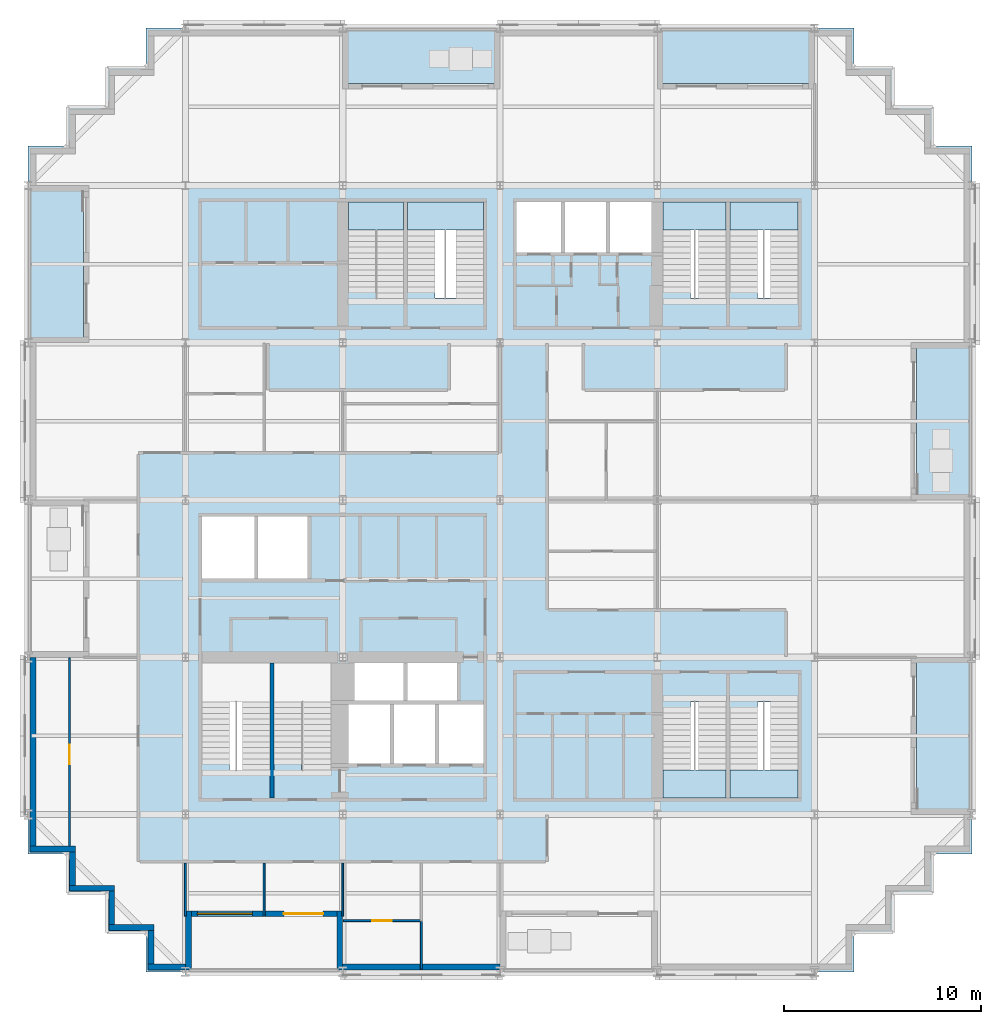
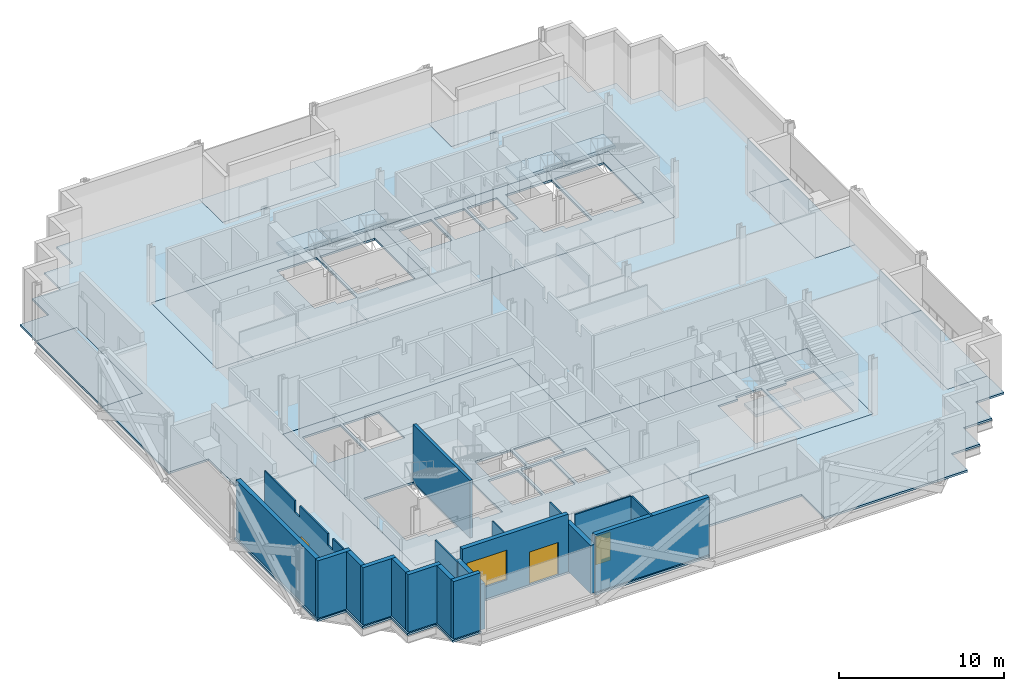
# One storey, part 4 of 14: 19 walls, 16 slabs, 3 doors, 1 window, 4 openings, 6 elements without a shape of their own.
"""IFC4 building model written with IfcOpenShell, lengths in metres."""

from ifc_helpers import new_model, si_unit, direction, frame, frame_2d, origin, place, context, subcontext, project, spatial, polyline, rectangle, outline, extrude, material, layer, layer_set, type_object, element, fill, aggregate, save


model = new_model("IFC4")

# Units and contexts
model_context = context("Model", 3, precision=1e-05, world=origin(), true_north=direction((0.0, 1.0)))
body_context = subcontext(model_context, "Body", "Model", "MODEL_VIEW")
ifc_project = project(units=[si_unit("LENGTHUNIT", "METRE"), si_unit("AREAUNIT", "SQUARE_METRE"), si_unit("VOLUMEUNIT", "CUBIC_METRE"), si_unit("PLANEANGLEUNIT", "RADIAN"), si_unit("MASSUNIT", "GRAM", prefix="KILO")], contexts=[model_context])

# Site, building, storey
site_placement = place(None, origin())
site = spatial("IfcSite", under=ifc_project, at=site_placement, CompositionType="ELEMENT")
building_placement = place(site_placement, origin())
building = spatial("IfcBuilding", under=site, at=building_placement, Name="Immortelle Media Tower", CompositionType="ELEMENT")
storey_placement = place(building_placement, frame((0.0, 0.0, 39.199951171875)))
storey = spatial("IfcBuildingStorey", under=building, at=storey_placement, Name="L05", CompositionType="ELEMENT", Elevation=39.199951171875)

# Slabs
ifc_material_1 = material(Name="Concrete C50/60 composite deck", Category="concrete")
ifc_layer_1 = layer(ifc_material_1, 0.14990234375)
ifc_layer_set_1 = layer_set([ifc_layer_1], Name="Concrete C50/60 composite deck")
slab_type_1 = type_object("IfcSlabType", Name="Balcony slab 150", PredefinedType="FLOOR", material=ifc_layer_set_1)
slab_1_placement = place(storey_placement, frame((0.0, 0.0, -0.14990234375)))
element("IfcSlab", 1, at=slab_1_placement, inside=storey, type_object=slab_type_1, Name="Balcony slab L05 W0", PredefinedType="FLOOR", context=body_context, shape_type="SweptSolid", body=[
    extrude(outline(polyline([(2.800048828125, 32.0), (2.800048828125, 40.0), (0.0, 40.0), (0.0, 32.0), (2.800048828125, 32.0)])), origin(), (0.0, 0.0, 1.0), 0.14990234375),
])
slab_2_placement = place(storey_placement, frame((0.0, 0.0, -0.14990234375)))
element("IfcSlab", 2, at=slab_2_placement, inside=storey, type_object=slab_type_1, Name="Balcony slab L05 E0", PredefinedType="FLOOR", context=body_context, shape_type="SweptSolid", body=[
    extrude(outline(polyline([(48.0, 8.0), (48.0, 16.0), (45.199951171875, 16.0), (45.199951171875, 8.0), (48.0, 8.0)])), origin(), (0.0, 0.0, 1.0), 0.14990234375),
])
slab_3_placement = place(storey_placement, frame((0.0, 0.0, -0.14990234375)))
element("IfcSlab", 3, at=slab_3_placement, inside=storey, type_object=slab_type_1, Name="Balcony slab L05 E2", PredefinedType="FLOOR", context=body_context, shape_type="SweptSolid", body=[
    extrude(outline(polyline([(48.0, 24.0), (48.0, 32.0), (45.199951171875, 32.0), (45.199951171875, 24.0), (48.0, 24.0)])), origin(), (0.0, 0.0, 1.0), 0.14990234375),
])
slab_4_placement = place(storey_placement, frame((0.0, 0.0, -0.14990234375)))
element("IfcSlab", 4, at=slab_4_placement, inside=storey, type_object=slab_type_1, Name="Balcony slab L05 N0", PredefinedType="FLOOR", context=body_context, shape_type="SweptSolid", body=[
    extrude(outline(polyline([(40.0, 45.199951171875), (40.0, 48.0), (32.0, 48.0), (32.0, 45.199951171875), (40.0, 45.199951171875)])), origin(), (0.0, 0.0, 1.0), 0.14990234375),
])
slab_5_placement = place(storey_placement, frame((0.0, 0.0, -0.14990234375)))
element("IfcSlab", 5, at=slab_5_placement, inside=storey, type_object=slab_type_1, Name="Balcony slab L05 N2", PredefinedType="FLOOR", context=body_context, shape_type="SweptSolid", body=[
    extrude(outline(polyline([(24.0, 45.199951171875), (24.0, 48.0), (16.0, 48.0), (16.0, 45.199951171875), (24.0, 45.199951171875)])), origin(), (0.0, 0.0, 1.0), 0.14990234375),
])
ifc_material_2 = material(Name="Concrete C50/60", Category="concrete")
ifc_layer_2 = layer(ifc_material_2, 0.14990234375)
ifc_layer_set_2 = layer_set([ifc_layer_2], Name="Concrete C50/60")
slab_type_2 = type_object("IfcSlabType", Name="Composite floor slab 150", PredefinedType="FLOOR", material=ifc_layer_set_2)
slab_6_placement = place(storey_placement, frame((0.0, 0.0, -0.14990234375)))
element("IfcSlab", 6, at=slab_6_placement, inside=storey, type_object=slab_type_2, Name="Floor slab L05", PredefinedType="FLOOR", context=body_context, shape_type="SweptSolid", body=[
    extrude(outline(polyline([(6.0, 0.0), (6.0, 2.0), (4.0, 2.0), (4.0, 4.0), (2.0, 4.0), (2.0, 6.0), (0.0, 6.0), (0.0, 16.0), (2.800048828125, 16.0), (2.800048828125, 24.0), (0.0, 24.0), (0.0, 32.0), (2.800048828125, 32.0), (2.800048828125, 40.0), (0.0, 40.0), (0.0, 42.0), (2.0, 42.0), (2.0, 44.0), (4.0, 44.0), (4.0, 46.0), (6.0, 46.0), (6.0, 48.0), (16.0, 48.0), (16.0, 45.199951171875), (24.0, 45.199951171875), (24.0, 48.0), (32.0, 48.0), (32.0, 45.199951171875), (40.0, 45.199951171875), (40.0, 48.0), (42.0, 48.0), (42.0, 46.0), (44.0, 46.0), (44.0, 44.0), (46.0, 44.0), (46.0, 42.0), (48.0, 42.0), (48.0, 32.0), (45.199951171875, 32.0), (45.199951171875, 24.0), (48.0, 24.0), (48.0, 16.0), (45.199951171875, 16.0), (45.199951171875, 8.0), (48.0, 8.0), (48.0, 6.0), (46.0, 6.0), (46.0, 4.0), (44.0, 4.0), (44.0, 2.0), (42.0, 2.0), (42.0, 0.0), (32.0, 0.0), (32.0, 2.800048828125), (24.0, 2.800048828125), (24.0, 0.0), (16.0, 0.0), (16.0, 2.800048828125), (8.0, 2.800048828125), (8.0, 0.0), (6.0, 0.0)]), holes=[polyline([(24.0, 24.0), (8.0, 24.0), (8.0, 8.0), (24.0, 8.0), (40.0, 8.0), (40.0, 16.0), (24.0, 16.0), (24.0, 24.0)]), polyline([(24.0, 32.0), (40.0, 32.0), (40.0, 40.0), (24.0, 40.0), (8.0, 40.0), (8.0, 32.0), (24.0, 32.0)])]), origin(), (0.0, 0.0, 1.0), 0.14990234375),
])
ifc_layer_3 = layer(ifc_material_2, 0.14990234375)
ifc_layer_set_3 = layer_set([ifc_layer_3], Name="Concrete C50/60")
slab_type_3 = type_object("IfcSlabType", Name="Core floor slab 150", PredefinedType="FLOOR", material=ifc_layer_set_3)
slab_7_placement = place(storey_placement, frame((0.0, 0.0, -0.14990234375)))
element("IfcSlab", 7, at=slab_7_placement, inside=storey, type_object=slab_type_3, Name="Core floor SW", PredefinedType="FLOOR", context=body_context, shape_type="SweptSolid", body=[
    extrude(outline(polyline([(8.0, 8.0), (24.0, 8.0), (24.0, 24.0), (8.0, 24.0), (8.0, 8.0)]), holes=[polyline([(8.85009765625, 20.0), (11.5, 20.0), (11.5, 23.14990234375), (8.85009765625, 23.14990234375), (8.85009765625, 20.0)]), polyline([(11.699951171875, 20.0), (14.199951171875, 20.0), (14.199951171875, 23.14990234375), (11.699951171875, 23.14990234375), (11.699951171875, 20.0)]), polyline([(16.60009765625, 13.800048828125), (19.10009765625, 13.800048828125), (19.10009765625, 15.699951171875), (16.60009765625, 15.699951171875), (16.60009765625, 13.800048828125)]), polyline([(19.300048828125, 13.800048828125), (21.800048828125, 13.800048828125), (21.800048828125, 15.699951171875), (19.300048828125, 15.699951171875), (19.300048828125, 13.800048828125)]), polyline([(16.300048828125, 10.60009765625), (18.39990234375, 10.60009765625), (18.39990234375, 13.60009765625), (16.300048828125, 13.60009765625), (16.300048828125, 10.60009765625)]), polyline([(18.60009765625, 10.60009765625), (20.699951171875, 10.60009765625), (20.699951171875, 13.60009765625), (18.60009765625, 13.60009765625), (18.60009765625, 10.60009765625)]), polyline([(20.89990234375, 10.60009765625), (23.14990234375, 10.60009765625), (23.14990234375, 13.60009765625), (20.89990234375, 13.60009765625), (20.89990234375, 10.60009765625)]), polyline([(8.85009765625, 15.699951171875), (12.300048828125, 15.699951171875), (12.300048828125, 10.27001953125), (10.25, 10.27001953125), (10.25, 10.56005859375), (8.85009765625, 10.56005859375), (8.85009765625, 15.699951171875)]), polyline([(12.5, 15.699951171875), (15.39990234375, 15.699951171875), (15.39990234375, 10.27001953125), (13.89990234375, 10.27001953125), (13.89990234375, 10.56005859375), (12.5, 10.56005859375), (12.5, 15.699951171875)])]), origin(), (0.0, 0.0, 1.0), 0.14990234375),
])
slab_8_placement = place(storey_placement, frame((0.0, 0.0, -0.14990234375)))
element("IfcSlab", 8, at=slab_8_placement, inside=storey, type_object=slab_type_3, Name="Core floor SE", PredefinedType="FLOOR", context=body_context, shape_type="SweptSolid", body=[
    extrude(outline(polyline([(24.0, 8.0), (40.0, 8.0), (40.0, 16.0), (24.0, 16.0), (24.0, 8.0)]), holes=[polyline([(35.5, 13.72998046875), (35.5, 8.85009765625), (32.300048828125, 8.85009765625), (32.300048828125, 13.43994140625), (33.699951171875, 13.43994140625), (33.699951171875, 13.72998046875), (35.5, 13.72998046875)]), polyline([(39.14990234375, 13.72998046875), (39.14990234375, 8.85009765625), (35.699951171875, 8.85009765625), (35.699951171875, 13.43994140625), (37.10009765625, 13.43994140625), (37.10009765625, 13.72998046875), (39.14990234375, 13.72998046875)])]), origin(), (0.0, 0.0, 1.0), 0.14990234375),
])
slab_9_placement = place(storey_placement, frame((0.0, 0.0, -0.14990234375)))
element("IfcSlab", 9, at=slab_9_placement, inside=storey, type_object=slab_type_3, Name="Core floor NW", PredefinedType="FLOOR", context=body_context, shape_type="SweptSolid", body=[
    extrude(outline(polyline([(8.0, 32.0), (24.0, 32.0), (24.0, 40.0), (8.0, 40.0), (8.0, 32.0)]), holes=[polyline([(16.300048828125, 39.14990234375), (19.10009765625, 39.14990234375), (19.10009765625, 34.27001953125), (17.699951171875, 34.27001953125), (17.699951171875, 34.56005859375), (16.300048828125, 34.56005859375), (16.300048828125, 39.14990234375)]), polyline([(19.300048828125, 39.14990234375), (23.14990234375, 39.14990234375), (23.14990234375, 34.27001953125), (20.699951171875, 34.27001953125), (20.699951171875, 34.56005859375), (19.300048828125, 34.56005859375), (19.300048828125, 39.14990234375)])]), origin(), (0.0, 0.0, 1.0), 0.14990234375),
])
slab_10_placement = place(storey_placement, frame((0.0, 0.0, -0.14990234375)))
element("IfcSlab", 10, at=slab_10_placement, inside=storey, type_object=slab_type_3, Name="Core floor NE", PredefinedType="FLOOR", context=body_context, shape_type="SweptSolid", body=[
    extrude(outline(polyline([(24.0, 32.0), (40.0, 32.0), (40.0, 40.0), (24.0, 40.0), (24.0, 32.0)]), holes=[polyline([(24.85009765625, 36.60009765625), (27.10009765625, 36.60009765625), (27.10009765625, 39.14990234375), (24.85009765625, 39.14990234375), (24.85009765625, 36.60009765625)]), polyline([(27.300048828125, 36.60009765625), (29.39990234375, 36.60009765625), (29.39990234375, 39.14990234375), (27.300048828125, 39.14990234375), (27.300048828125, 36.60009765625)]), polyline([(29.60009765625, 36.60009765625), (31.699951171875, 36.60009765625), (31.699951171875, 39.14990234375), (29.60009765625, 39.14990234375), (29.60009765625, 36.60009765625)]), polyline([(32.300048828125, 39.14990234375), (35.5, 39.14990234375), (35.5, 34.27001953125), (33.699951171875, 34.27001953125), (33.699951171875, 34.56005859375), (32.300048828125, 34.56005859375), (32.300048828125, 39.14990234375)]), polyline([(35.699951171875, 39.14990234375), (39.14990234375, 39.14990234375), (39.14990234375, 34.27001953125), (37.10009765625, 34.27001953125), (37.10009765625, 34.56005859375), (35.699951171875, 34.56005859375), (35.699951171875, 39.14990234375)])]), origin(), (0.0, 0.0, 1.0), 0.14990234375),
])

# Stair, slab
ifc_material_3 = material(Name="Steel ASTM A992 Gr 50", Category="steel")
stair_type = type_object("IfcStairType", Name="Stair with flights", PredefinedType="DOUBLE_RETURN_STAIR", material=ifc_material_3)
stair_1_placement = place(storey_placement, origin())
stair_1 = element("IfcStair", 11, at=stair_1_placement, inside=storey, type_object=stair_type, Name="Exit stair SE1", PredefinedType="DOUBLE_RETURN_STAIR")
ifc_material_4 = material(Name="Steel ASTM A572 Gr 50", Category="steel")
ifc_layer_4 = layer(ifc_material_4, 0.199951171875)
ifc_layer_set_4 = layer_set([ifc_layer_4], Name="Steel ASTM A572 Gr 50")
slab_type_4 = type_object("IfcSlabType", Name="Stair landing 200", PredefinedType="LANDING", material=ifc_layer_set_4)
slab_11_placement = place(storey_placement, frame((0.0, 0.0, 1.912109375)))
slab_11 = element("IfcSlab", 12, at=slab_11_placement, type_object=slab_type_4, Name="ST SE1 landing 1", PredefinedType="LANDING", context=body_context, shape_type="SweptSolid", body=[
    extrude(outline(polyline([(32.300048828125, 8.85009765625), (35.5, 8.85009765625), (35.5, 10.27001953125), (32.300048828125, 10.27001953125), (32.300048828125, 8.85009765625)])), origin(), (0.0, 0.0, 1.0), 0.199951171875),
])
aggregate(stair_1, [slab_11])

stair_2_placement = place(storey_placement, origin())
stair_2 = element("IfcStair", 13, at=stair_2_placement, inside=storey, type_object=stair_type, Name="Exit stair SE2", PredefinedType="DOUBLE_RETURN_STAIR")
slab_12_placement = place(storey_placement, frame((0.0, 0.0, 1.912109375)))
slab_12 = element("IfcSlab", 14, at=slab_12_placement, type_object=slab_type_4, Name="ST SE2 landing 1", PredefinedType="LANDING", context=body_context, shape_type="SweptSolid", body=[
    extrude(outline(polyline([(35.699951171875, 8.85009765625), (39.14990234375, 8.85009765625), (39.14990234375, 10.27001953125), (35.699951171875, 10.27001953125), (35.699951171875, 8.85009765625)])), origin(), (0.0, 0.0, 1.0), 0.199951171875),
])
aggregate(stair_2, [slab_12])

stair_3_placement = place(storey_placement, origin())
stair_3 = element("IfcStair", 15, at=stair_3_placement, inside=storey, type_object=stair_type, Name="Exit stair NW1", PredefinedType="DOUBLE_RETURN_STAIR")
slab_13_placement = place(storey_placement, frame((0.0, 0.0, 1.912109375)))
slab_13 = element("IfcSlab", 16, at=slab_13_placement, type_object=slab_type_4, Name="ST NW1 landing 1", PredefinedType="LANDING", context=body_context, shape_type="SweptSolid", body=[
    extrude(outline(polyline([(16.300048828125, 37.72998046875), (19.10009765625, 37.72998046875), (19.10009765625, 39.14990234375), (16.300048828125, 39.14990234375), (16.300048828125, 37.72998046875)])), origin(), (0.0, 0.0, 1.0), 0.199951171875),
])
aggregate(stair_3, [slab_13])

stair_4_placement = place(storey_placement, origin())
stair_4 = element("IfcStair", 17, at=stair_4_placement, inside=storey, type_object=stair_type, Name="Exit stair NW2", PredefinedType="DOUBLE_RETURN_STAIR")
slab_14_placement = place(storey_placement, frame((0.0, 0.0, 1.912109375)))
slab_14 = element("IfcSlab", 18, at=slab_14_placement, type_object=slab_type_4, Name="ST NW2 landing 1", PredefinedType="LANDING", context=body_context, shape_type="SweptSolid", body=[
    extrude(outline(polyline([(19.300048828125, 37.72998046875), (23.14990234375, 37.72998046875), (23.14990234375, 39.14990234375), (19.300048828125, 39.14990234375), (19.300048828125, 37.72998046875)])), origin(), (0.0, 0.0, 1.0), 0.199951171875),
])
aggregate(stair_4, [slab_14])

stair_5_placement = place(storey_placement, origin())
stair_5 = element("IfcStair", 19, at=stair_5_placement, inside=storey, type_object=stair_type, Name="Exit stair NE1", PredefinedType="DOUBLE_RETURN_STAIR")
slab_15_placement = place(storey_placement, frame((0.0, 0.0, 1.912109375)))
slab_15 = element("IfcSlab", 20, at=slab_15_placement, type_object=slab_type_4, Name="ST NE1 landing 1", PredefinedType="LANDING", context=body_context, shape_type="SweptSolid", body=[
    extrude(outline(polyline([(32.300048828125, 37.72998046875), (35.5, 37.72998046875), (35.5, 39.14990234375), (32.300048828125, 39.14990234375), (32.300048828125, 37.72998046875)])), origin(), (0.0, 0.0, 1.0), 0.199951171875),
])
aggregate(stair_5, [slab_15])

stair_6_placement = place(storey_placement, origin())
stair_6 = element("IfcStair", 21, at=stair_6_placement, inside=storey, type_object=stair_type, Name="Exit stair NE2", PredefinedType="DOUBLE_RETURN_STAIR")
slab_16_placement = place(storey_placement, frame((0.0, 0.0, 1.912109375)))
slab_16 = element("IfcSlab", 22, at=slab_16_placement, type_object=slab_type_4, Name="ST NE2 landing 1", PredefinedType="LANDING", context=body_context, shape_type="SweptSolid", body=[
    extrude(outline(polyline([(35.699951171875, 37.72998046875), (39.14990234375, 37.72998046875), (39.14990234375, 39.14990234375), (35.699951171875, 39.14990234375), (35.699951171875, 37.72998046875)])), origin(), (0.0, 0.0, 1.0), 0.199951171875),
])
aggregate(stair_6, [slab_16])

# Walls
ifc_material_5 = material(Name="Pale aluminium cladding panel", Category="aluminium")
ifc_layer_5 = layer(ifc_material_5, 0.030029296875)
ifc_material_6 = material(Name="Steel ASTM A653 SS Gr 50 stud frame with mineral wool", Category="steel")
ifc_layer_6 = layer(ifc_material_6, 0.257568359375)
ifc_material_7 = material(Name="Moisture-resistant gypsum board", Category="gypsum")
ifc_layer_7 = layer(ifc_material_7, 0.012451171875)
ifc_layer_set_5 = layer_set([ifc_layer_5, ifc_layer_6, ifc_layer_7], Name="Steel ASTM A653 SS Gr 50 stud frame with mineral wool")
wall_type_1 = type_object("IfcWallType", Name="Facade wall 300", PredefinedType="SOLIDWALL", material=ifc_layer_set_5)
wall_1_placement = place(storey_placement, frame((0.25, 16.0, 0.0), z_axis=(0.0, 0.0, 1.0), x_axis=(0.0, -1.0, 0.0)))
element("IfcWall", 23, at=wall_1_placement, inside=storey, type_object=wall_type_1, Name="Facade wall L05 W0", PredefinedType="SOLIDWALL", context=body_context, shape_type="SweptSolid", body=[
    extrude(rectangle(XDim=9.60009765625, YDim=0.300048828125, at=frame_2d((4.800048828125, 0.0))), origin(), (0.0, 0.0, 1.0), 4.25),
])
wall_2_placement = place(storey_placement, frame((0.10009765625, 6.25, 0.0), z_axis=(0.0, 0.0, 1.0), x_axis=(1.0, 0.0, 0.0)))
element("IfcWall", 24, at=wall_2_placement, inside=storey, type_object=wall_type_1, Name="Facade wall L05 S1", PredefinedType="SOLIDWALL", context=body_context, shape_type="SweptSolid", body=[
    extrude(rectangle(XDim=2.2998046875, YDim=0.300048828125, at=frame_2d((1.14990234375, 0.0))), origin(), (0.0, 0.0, 1.0), 4.25),
])
wall_3_placement = place(storey_placement, frame((2.25, 6.10009765625, 0.0), z_axis=(0.0, 0.0, 1.0), x_axis=(0.0, -1.0, 0.0)))
element("IfcWall", 25, at=wall_3_placement, inside=storey, type_object=wall_type_1, Name="Facade wall L05 W2", PredefinedType="SOLIDWALL", context=body_context, shape_type="SweptSolid", body=[
    extrude(rectangle(XDim=1.7001953125, YDim=0.300048828125, at=frame_2d((0.85009765625, 0.0))), origin(), (0.0, 0.0, 1.0), 4.25),
])
wall_4_placement = place(storey_placement, frame((2.10009765625, 4.25, 0.0), z_axis=(0.0, 0.0, 1.0), x_axis=(1.0, 0.0, 0.0)))
element("IfcWall", 26, at=wall_4_placement, inside=storey, type_object=wall_type_1, Name="Facade wall L05 S3", PredefinedType="SOLIDWALL", context=body_context, shape_type="SweptSolid", body=[
    extrude(rectangle(XDim=2.2998046875, YDim=0.300048828125, at=frame_2d((1.14990234375, 0.0))), origin(), (0.0, 0.0, 1.0), 4.25),
])
wall_5_placement = place(storey_placement, frame((4.25, 4.10009765625, 0.0), z_axis=(0.0, 0.0, 1.0), x_axis=(0.0, -1.0, 0.0)))
element("IfcWall", 27, at=wall_5_placement, inside=storey, type_object=wall_type_1, Name="Facade wall L05 W4", PredefinedType="SOLIDWALL", context=body_context, shape_type="SweptSolid", body=[
    extrude(rectangle(XDim=1.7001953125, YDim=0.300048828125, at=frame_2d((0.85009765625, 0.0))), origin(), (0.0, 0.0, 1.0), 4.25),
])
wall_6_placement = place(storey_placement, frame((4.10009765625, 2.25, 0.0), z_axis=(0.0, 0.0, 1.0), x_axis=(1.0, 0.0, 0.0)))
element("IfcWall", 28, at=wall_6_placement, inside=storey, type_object=wall_type_1, Name="Facade wall L05 S5", PredefinedType="SOLIDWALL", context=body_context, shape_type="SweptSolid", body=[
    extrude(rectangle(XDim=2.2998046875, YDim=0.300048828125, at=frame_2d((1.14990234375, 0.0))), origin(), (0.0, 0.0, 1.0), 4.25),
])
wall_7_placement = place(storey_placement, frame((6.25, 2.10009765625, 0.0), z_axis=(0.0, 0.0, 1.0), x_axis=(0.0, -1.0, 0.0)))
element("IfcWall", 29, at=wall_7_placement, inside=storey, type_object=wall_type_1, Name="Facade wall L05 W6", PredefinedType="SOLIDWALL", context=body_context, shape_type="SweptSolid", body=[
    extrude(rectangle(XDim=1.7001953125, YDim=0.300048828125, at=frame_2d((0.85009765625, 0.0))), origin(), (0.0, 0.0, 1.0), 4.25),
])
wall_8_placement = place(storey_placement, frame((6.10009765625, 0.25, 0.0), z_axis=(0.0, 0.0, 1.0), x_axis=(1.0, 0.0, 0.0)))
element("IfcWall", 30, at=wall_8_placement, inside=storey, type_object=wall_type_1, Name="Facade wall L05 S7", PredefinedType="SOLIDWALL", context=body_context, shape_type="SweptSolid", body=[
    extrude(rectangle(XDim=1.89990234375, YDim=0.300048828125, at=frame_2d((0.949951171875, 0.0))), origin(), (0.0, 0.0, 1.0), 4.25),
])

# Wall, openings, door, window
wall_9_placement = place(storey_placement, frame((8.300048828125, 2.949951171875, 0.0), z_axis=(0.0, 0.0, 1.0), x_axis=(1.0, 0.0, 0.0)))
wall_9 = element("IfcWall", 31, at=wall_9_placement, inside=storey, type_object=wall_type_1, Name="Loggia wall L05 S7", PredefinedType="SOLIDWALL", context=body_context, shape_type="SweptSolid", body=[
    extrude(rectangle(XDim=7.39990234375, YDim=0.300048828125, at=frame_2d((3.699951171875, 0.0))), origin(), (0.0, 0.0, 1.0), 4.25),
])
opening_1_placement = place(wall_9_placement, frame((0.300048828125, 0.0, 0.89990234375)))
opening_1 = element("IfcOpeningElement", 32, at=opening_1_placement, cuts=wall_9, Name="Opening W1", PredefinedType="OPENING", context=body_context, shape_type="SweptSolid", body=[
    extrude(rectangle(XDim=2.800048828125, YDim=2.199951171875, at=frame_2d((1.39990234375, 1.10009765625))), frame((0.0, 0.159912109375, 0.0), z_axis=(0.0, -1.0, 0.0), x_axis=(1.0, 0.0, 0.0)), (0.0, 0.0, 1.0), 0.320068359375),
])
opening_2_placement = place(wall_9_placement, frame((4.699951171875, 0.0, 0.0)))
opening_2 = element("IfcOpeningElement", 33, at=opening_2_placement, cuts=wall_9, Name="Opening N1-E003", PredefinedType="OPENING", context=body_context, shape_type="SweptSolid", body=[
    extrude(rectangle(XDim=2.0, YDim=2.39990234375, at=frame_2d((1.0, 1.199951171875))), frame((0.0, 0.159912109375, 0.0), z_axis=(0.0, -1.0, 0.0), x_axis=(1.0, 0.0, 0.0)), (0.0, 0.0, 1.0), 0.320068359375),
])
ifc_material_8 = material(Name="Aluminium frame, glazed leaves", Category="aluminium")
door_type_1 = type_object("IfcDoorType", Name="Loggia door 2000 x 2400", OperationType="DOUBLE_DOOR_SINGLE_SWING", PredefinedType="DOOR", material=ifc_material_8)
door_1_placement = place(opening_2_placement, origin())
door_1 = element("IfcDoor", 34, at=door_1_placement, inside=storey, type_object=door_type_1, Name="Door N1-E003", OperationType="DOUBLE_DOOR_SINGLE_SWING", OverallHeight=2.39990234375, OverallWidth=2.0, PredefinedType="DOOR", context=body_context, shape_type="SweptSolid", body=[
    extrude(rectangle(XDim=2.0, YDim=2.39990234375, at=frame_2d((1.0, 1.199951171875))), frame((0.0, 0.02490234375, 0.0), z_axis=(0.0, -1.0, 0.0), x_axis=(1.0, 0.0, 0.0)), (0.0, 0.0, 1.0), 0.050048828125),
])
fill(opening_2, door_1)
ifc_material_9 = material(Name="Aluminium frame", Category="aluminium")
window_type = type_object("IfcWindowType", Name="Window 2800 x 2200", PartitioningType="SINGLE_PANEL", PredefinedType="WINDOW", material=ifc_material_9)
window_placement = place(opening_1_placement, origin())
window = element("IfcWindow", 35, at=window_placement, inside=storey, type_object=window_type, Name="Window L05 L05-R7-B0", OverallHeight=2.199951171875, OverallWidth=2.800048828125, PartitioningType="SINGLE_PANEL", PredefinedType="WINDOW", context=body_context, shape_type="SweptSolid", body=[
    extrude(rectangle(XDim=2.800048828125, YDim=2.199951171875, at=frame_2d((1.39990234375, 1.10009765625))), frame((0.0, 0.030029296875, 0.0), z_axis=(0.0, -1.0, 0.0), x_axis=(1.0, 0.0, 0.0)), (0.0, 0.0, 1.0), 0.06005859375),
])
fill(opening_1, window)

# Walls
wall_10_placement = place(storey_placement, frame((8.14990234375, 0.10009765625, 0.0), z_axis=(0.0, 0.0, 1.0), x_axis=(0.0, 1.0, 0.0)))
element("IfcWall", 36, at=wall_10_placement, inside=storey, type_object=wall_type_1, Name="Loggia cheek wall L05 S", PredefinedType="SOLIDWALL", context=body_context, shape_type="SweptSolid", body=[
    extrude(rectangle(XDim=3.0, YDim=0.300048828125, at=frame_2d((1.5, 0.0))), origin(), (0.0, 0.0, 1.0), 3.39013671875),
])
wall_11_placement = place(storey_placement, frame((15.85009765625, 0.10009765625, 0.0), z_axis=(0.0, 0.0, 1.0), x_axis=(0.0, 1.0, 0.0)))
element("IfcWall", 37, at=wall_11_placement, inside=storey, type_object=wall_type_1, Name="Loggia cheek wall L05 S", PredefinedType="SOLIDWALL", context=body_context, shape_type="SweptSolid", body=[
    extrude(rectangle(XDim=3.0, YDim=0.300048828125, at=frame_2d((1.5, 0.0))), origin(), (0.0, 0.0, 1.0), 3.552978515625),
])
wall_12_placement = place(storey_placement, frame((16.0, 0.25, 0.0), z_axis=(0.0, 0.0, 1.0), x_axis=(1.0, 0.0, 0.0)))
element("IfcWall", 38, at=wall_12_placement, inside=storey, type_object=wall_type_1, Name="Facade wall L05 S7", PredefinedType="SOLIDWALL", context=body_context, shape_type="SweptSolid", body=[
    extrude(rectangle(XDim=8.0, YDim=0.300048828125, at=frame_2d((4.0, 0.0))), origin(), (0.0, 0.0, 1.0), 4.25),
])
ifc_material_10 = material(Name="Gypsum board", Category="gypsum")
ifc_layer_8 = layer(ifc_material_10, 0.012451171875)
ifc_layer_9 = layer(ifc_material_6, 0.074951171875)
ifc_layer_10 = layer(ifc_material_10, 0.012451171875)
ifc_layer_set_6 = layer_set([ifc_layer_8, ifc_layer_9, ifc_layer_10], Name="Steel ASTM A653 SS Gr 50 stud frame with mineral wool")
wall_type_2 = type_object("IfcWallType", Name="Partition 100", PredefinedType="PARTITIONING", material=ifc_layer_set_6)
wall_13_placement = place(storey_placement, frame((20.0, 0.1298828125, 0.0), z_axis=(0.0, 0.0, 1.0), x_axis=(0.0, 1.0, 0.0)))
element("IfcWall", 39, at=wall_13_placement, inside=storey, type_object=wall_type_2, Name="Partition L05-001", PredefinedType="PARTITIONING", context=body_context, shape_type="SweptSolid", body=[
    extrude(rectangle(XDim=2.420166015625, YDim=0.10009765625, at=frame_2d((1.2099609375, 0.0))), origin(), (0.0, 0.0, 1.0), 4.25),
])

# Wall, opening, door
wall_14_placement = place(storey_placement, frame((16.030029296875, 2.60009765625, 0.0), z_axis=(0.0, 0.0, 1.0), x_axis=(1.0, 0.0, 0.0)))
wall_14 = element("IfcWall", 40, at=wall_14_placement, inside=storey, type_object=wall_type_2, Name="Partition L05-002", PredefinedType="PARTITIONING", context=body_context, shape_type="SweptSolid", body=[
    extrude(rectangle(XDim=3.919921875, YDim=0.10009765625, at=frame_2d((1.9599609375, 0.0))), origin(), (0.0, 0.0, 1.0), 4.25),
])
opening_3_placement = place(wall_14_placement, frame((1.469970703125, 0.0, 0.0)))
opening_3 = element("IfcOpeningElement", 41, at=opening_3_placement, cuts=wall_14, Name="Opening N1-F002", PredefinedType="OPENING", context=body_context, shape_type="SweptSolid", body=[
    extrude(rectangle(XDim=1.0, YDim=2.10009765625, at=frame_2d((0.5, 1.050048828125))), frame((0.0, 0.06005859375, 0.0), z_axis=(0.0, -1.0, 0.0), x_axis=(1.0, 0.0, 0.0)), (0.0, 0.0, 1.0), 0.1201171875),
])
ifc_material_11 = material(Name="Timber veneered door leaf, galvanised steel frame ASTM A653", Category="steel")
door_type_2 = type_object("IfcDoorType", Name="Room door 1000 x 2100", OperationType="NOTDEFINED", PredefinedType="DOOR", material=ifc_material_11)
door_2_placement = place(opening_3_placement, origin())
door_2 = element("IfcDoor", 42, at=door_2_placement, inside=storey, type_object=door_type_2, Name="Door N1-F002", OperationType="SINGLE_SWING_RIGHT", OverallHeight=2.10009765625, OverallWidth=1.0, PredefinedType="DOOR", context=body_context, shape_type="SweptSolid", body=[
    extrude(rectangle(XDim=1.0, YDim=2.10009765625, at=frame_2d((0.5, 1.050048828125))), frame((0.0, 0.02490234375, 0.0), z_axis=(0.0, -1.0, 0.0), x_axis=(1.0, 0.0, 0.0)), (0.0, 0.0, 1.0), 0.050048828125),
])
fill(opening_3, door_2)

# Walls
for number, where, z_axis, x_axis, name in (
    (43, (8.0, 2.830078125, 0.0), (0.0, 0.0, 1.0), (0.0, 1.0, 0.0), "Partition L05-004"),
    (44, (12.0, 2.830078125, 0.0), (0.0, 0.0, 1.0), (0.0, 1.0, 0.0), "Partition L05-005"),
    (45, (16.0, 2.830078125, 0.0), (0.0, 0.0, 1.0), (0.0, 1.0, 0.0), "Partition L05-006"),
):
    element("IfcWall", number, at=place(storey_placement, frame(where, z_axis=z_axis, x_axis=x_axis)), inside=storey, type_object=wall_type_2, Name=name, PredefinedType="PARTITIONING", context=body_context, shape_type="SweptSolid", body=[
        extrude(rectangle(XDim=2.69482421875, YDim=0.10009765625, at=frame_2d((1.347412109375, 0.0))), origin(), (0.0, 0.0, 1.0), 3.39111328125),
    ])

# Wall, opening, door
wall_15_placement = place(storey_placement, frame((2.10009765625, 6.1298828125, 0.0), z_axis=(0.0, 0.0, 1.0), x_axis=(0.0, 1.0, 0.0)))
wall_15 = element("IfcWall", 46, at=wall_15_placement, inside=storey, type_object=wall_type_2, Name="Partition L05-011", PredefinedType="PARTITIONING", context=body_context, shape_type="SweptSolid", body=[
    extrude(outline(polyline([(0.0, 0.0), (9.840087890625, 0.0), (9.840087890625, 4.25), (6.169921875, 4.25), (6.16796875, 3.39111328125), (5.572021484375, 3.39111328125), (5.570068359375, 4.25), (2.169921875, 4.25), (2.16796875, 3.39111328125), (1.572021484375, 3.39111328125), (1.570068359375, 4.25), (0.0, 4.25), (0.0, 0.0)])), frame((0.0, 0.050048828125, 0.0), z_axis=(0.0, -1.0, 0.0), x_axis=(1.0, 0.0, 0.0)), (0.0, 0.0, 1.0), 0.10009765625),
])
opening_4_placement = place(wall_15_placement, frame((4.419921875, 0.0, 0.0)))
opening_4 = element("IfcOpeningElement", 47, at=opening_4_placement, cuts=wall_15, Name="Opening N1-F008", PredefinedType="OPENING", context=body_context, shape_type="SweptSolid", body=[
    extrude(rectangle(XDim=1.0, YDim=2.10009765625, at=frame_2d((0.5, 1.050048828125))), frame((0.0, 0.06005859375, 0.0), z_axis=(0.0, -1.0, 0.0), x_axis=(1.0, 0.0, 0.0)), (0.0, 0.0, 1.0), 0.1201171875),
])
door_3_placement = place(opening_4_placement, origin())
door_3 = element("IfcDoor", 48, at=door_3_placement, inside=storey, type_object=door_type_2, Name="Door N1-F008", OperationType="SINGLE_SWING_RIGHT", OverallHeight=2.10009765625, OverallWidth=1.0, PredefinedType="DOOR", context=body_context, shape_type="SweptSolid", body=[
    extrude(rectangle(XDim=1.0, YDim=2.10009765625, at=frame_2d((0.5, 1.050048828125))), frame((0.0, 0.02490234375, 0.0), z_axis=(0.0, -1.0, 0.0), x_axis=(1.0, 0.0, 0.0)), (0.0, 0.0, 1.0), 0.050048828125),
])
fill(opening_4, door_3)

# Wall
ifc_material_12 = material(Name="Concrete C60", Category="concrete")
ifc_layer_11 = layer(ifc_material_12, 0.199951171875)
ifc_layer_set_7 = layer_set([ifc_layer_11], Name="Concrete C60")
wall_type_3 = type_object("IfcWallType", Name="Stair shaft wall 200", PredefinedType="PARTITIONING", material=ifc_layer_set_7)
wall_16_placement = place(storey_placement, frame((12.39990234375, 8.85009765625, 0.0), z_axis=(0.0, 0.0, 1.0), x_axis=(0.0, 1.0, 0.0)))
element("IfcWall", 49, at=wall_16_placement, inside=storey, type_object=wall_type_3, Name="Stair shaft wall SW", PredefinedType="PARTITIONING", context=body_context, shape_type="SweptSolid", body=[
    extrude(rectangle(XDim=6.849853515625, YDim=0.199951171875, at=frame_2d((3.4248046875, 0.0))), origin(), (0.0, 0.0, 1.0), 4.25),
])

save(model, "model.ifc")
